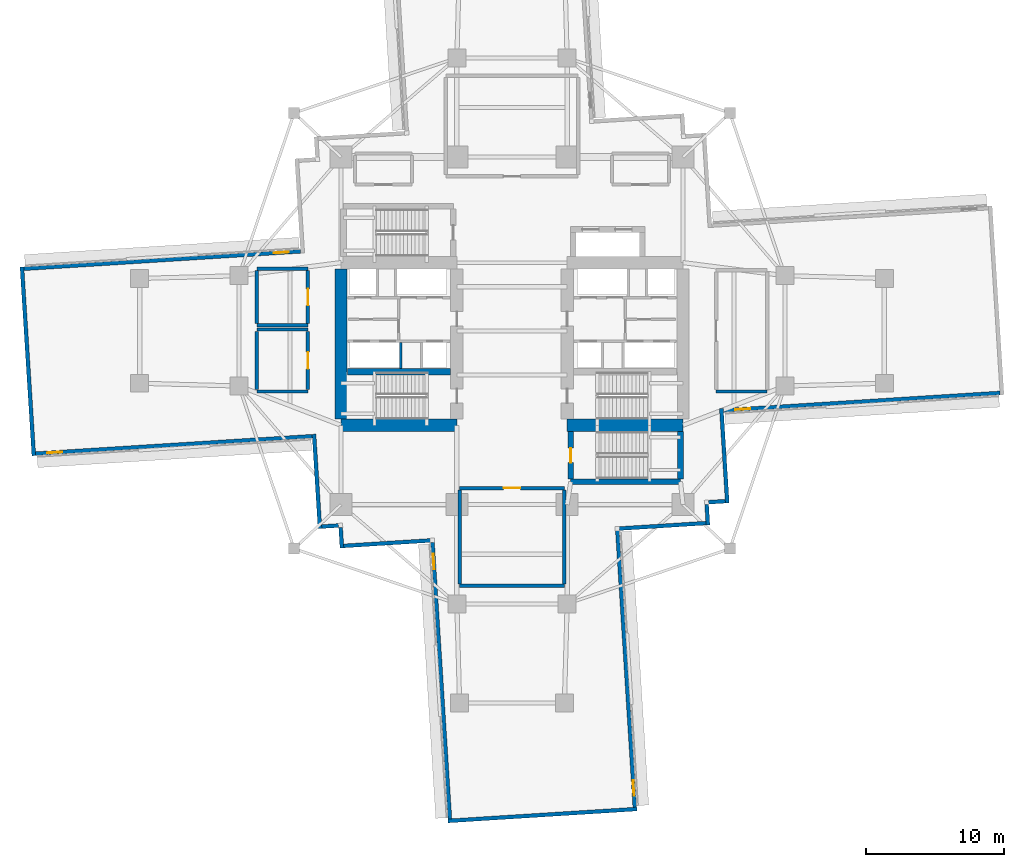
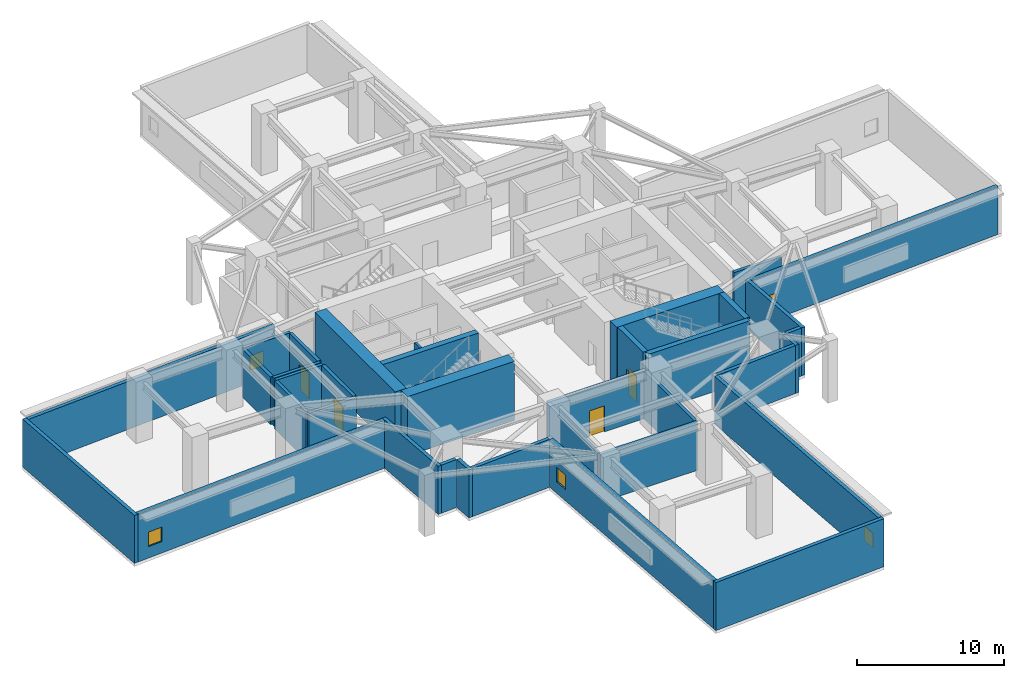
# One storey, part 3 of 11: 36 walls, 5 windows, 4 doors, 9 openings.
"""IFC4 building model written with IfcOpenShell, lengths in metres."""

from ifc_helpers import new_model, si_unit, direction, frame, frame_2d, origin, place, context, subcontext, project, spatial, rectangle, extrude, material, layer, layer_set, type_object, element, fill, save


model = new_model("IFC4")

# Units and contexts
model_context = context("Model", 3, precision=1e-05, world=origin(), true_north=direction((0.0, 1.0)))
body_context = subcontext(model_context, "Body", "Model", "MODEL_VIEW")
ifc_project = project(units=[si_unit("LENGTHUNIT", "METRE"), si_unit("AREAUNIT", "SQUARE_METRE"), si_unit("VOLUMEUNIT", "CUBIC_METRE"), si_unit("PLANEANGLEUNIT", "RADIAN"), si_unit("MASSUNIT", "GRAM", prefix="KILO")], contexts=[model_context])

# Site, building, storey
site_placement = place(None, origin())
site = spatial("IfcSite", under=ifc_project, at=site_placement, CompositionType="ELEMENT")
building_placement = place(site_placement, origin())
building = spatial("IfcBuilding", under=site, at=building_placement, Name="Qingluan Cross Belvedere", CompositionType="ELEMENT")
storey_placement = place(building_placement, frame((0.0, 0.0, 47.10009765625)))
storey = spatial("IfcBuildingStorey", under=building, at=storey_placement, Name="L12", CompositionType="ELEMENT", Elevation=47.10009765625)

# Walls
ifc_material_1 = material(Name="Concrete C50", Category="concrete")
ifc_layer_1 = layer(ifc_material_1, 0.449951171875, Name="CoreShearWall_450")
ifc_layer_set_1 = layer_set([ifc_layer_1], Name="Concrete C50")
wall_type_1 = type_object("IfcWallType", Name="CoreShearWall_450", PredefinedType="SHEAR", material=ifc_layer_set_1)
wall_1_placement = place(storey_placement, frame((-11.945068359375, -2.9599609375, 0.0), z_axis=(0.0, 0.0, 1.0), x_axis=(1.0, 0.0, 0.0)))
element("IfcWall", 1, at=wall_1_placement, inside=storey, type_object=wall_type_1, Name="Split core W shear wall L12-M", PredefinedType="SHEAR", context=body_context, shape_type="SweptSolid", body=[
    extrude(rectangle(XDim=7.489990234375, YDim=0.449951171875, at=frame_2d((3.7451171875, 0.0))), origin(), (0.0, 0.0, 1.0), 4.89990234375),
])
wall_2_placement = place(storey_placement, frame((4.260009765625, -10.93994140625, 0.0), z_axis=(0.0, 0.0, 1.0), x_axis=(1.0, 0.0, 0.0)))
element("IfcWall", 2, at=wall_2_placement, inside=storey, type_object=wall_type_1, Name="Stair ST4 structural wall S L12", PredefinedType="SHEAR", context=body_context, shape_type="SweptSolid", body=[
    extrude(rectangle(XDim=7.9599609375, YDim=0.39990234375, at=frame_2d((3.97998046875, 0.0))), origin(), (0.0, 0.0, 1.0), 4.89990234375),
])

# Wall, opening, door
wall_3_placement = place(storey_placement, frame((4.260009765625, -10.735107421875, 0.0), z_axis=(0.0, 0.0, 1.0), x_axis=(0.0, 1.0, 0.0)))
wall_3 = element("IfcWall", 3, at=wall_3_placement, inside=storey, type_object=wall_type_1, Name="Stair ST4 structural wall W L12", PredefinedType="SHEAR", context=body_context, shape_type="SweptSolid", body=[
    extrude(rectangle(XDim=3.43017578125, YDim=0.39990234375, at=frame_2d((1.715087890625, 0.0))), origin(), (0.0, 0.0, 1.0), 4.89990234375),
])
opening_1_placement = place(wall_3_placement, frame((1.18505859375, 0.0, 0.0)))
opening_1 = element("IfcOpeningElement", 4, at=opening_1_placement, cuts=wall_3, Name="Opening FD-B11", PredefinedType="OPENING", context=body_context, shape_type="SweptSolid", body=[
    extrude(rectangle(XDim=1.050048828125, YDim=2.14990234375, at=frame_2d((0.52490234375, 1.074951171875))), frame((0.0, 0.2099609375, 0.0), z_axis=(0.0, -1.0, 0.0), x_axis=(1.0, 0.0, 0.0)), (0.0, 0.0, 1.0), 0.419921875),
])
ifc_material_2 = material(Name="Steel Class B smoke-seal fire door", Category="steel")
door_type_1 = type_object("IfcDoorType", Name="StairLobbyFireDoor_FDB", OperationType="NOTDEFINED", PredefinedType="DOOR", material=ifc_material_2)
door_1_placement = place(opening_1_placement, origin())
door_1 = element("IfcDoor", 5, at=door_1_placement, inside=storey, type_object=door_type_1, Name="Smoke-proof stair ST4 fire door L12", OperationType="SINGLE_SWING_LEFT", OverallHeight=2.14990234375, OverallWidth=1.050048828125, PredefinedType="DOOR", context=body_context, shape_type="SweptSolid", body=[
    extrude(rectangle(XDim=1.050048828125, YDim=2.14990234375, at=frame_2d((0.52490234375, 1.074951171875))), frame((0.0, 0.02490234375, 0.0), z_axis=(0.0, -1.0, 0.0), x_axis=(1.0, 0.0, 0.0)), (0.0, 0.0, 1.0), 0.050048828125),
])
fill(opening_1, door_1)

# Walls
wall_4_placement = place(storey_placement, frame((12.219970703125, -10.735107421875, 0.0), z_axis=(0.0, 0.0, 1.0), x_axis=(0.0, 1.0, 0.0)))
element("IfcWall", 6, at=wall_4_placement, inside=storey, type_object=wall_type_1, Name="Stair ST4 structural wall E L12", PredefinedType="SHEAR", context=body_context, shape_type="SweptSolid", body=[
    extrude(rectangle(XDim=3.43017578125, YDim=0.39990234375, at=frame_2d((1.715087890625, 0.0))), origin(), (0.0, 0.0, 1.0), 4.89990234375),
])
ifc_material_3 = material(Name="Concrete C70", Category="concrete")
ifc_layer_2 = layer(ifc_material_3, 0.89990234375, Name="CoreShearWall_900")
ifc_layer_set_2 = layer_set([ifc_layer_2], Name="Concrete C70")
wall_type_2 = type_object("IfcWallType", Name="CoreShearWall_900", PredefinedType="SHEAR", material=ifc_layer_set_2)
wall_5_placement = place(storey_placement, frame((-12.39990234375, -6.85009765625, 0.0), z_axis=(0.0, 0.0, 1.0), x_axis=(1.0, 0.0, 0.0)))
element("IfcWall", 7, at=wall_5_placement, inside=storey, type_object=wall_type_2, Name="Split core W shear wall L12-S", PredefinedType="SHEAR", context=body_context, shape_type="SweptSolid", body=[
    extrude(rectangle(XDim=8.39990234375, YDim=0.89990234375, at=frame_2d((4.199951171875, 0.0))), origin(), (0.0, 0.0, 1.0), 4.89990234375),
])
wall_6_placement = place(storey_placement, frame((-12.39990234375, -6.39501953125, 0.0), z_axis=(0.0, 0.0, 1.0), x_axis=(0.0, 1.0, 0.0)))
element("IfcWall", 8, at=wall_6_placement, inside=storey, type_object=wall_type_2, Name="Split core W shear wall L12-W", PredefinedType="SHEAR", context=body_context, shape_type="SweptSolid", body=[
    extrude(rectangle(XDim=10.89013671875, YDim=0.89990234375, at=frame_2d((5.445068359375, 0.0))), origin(), (0.0, 0.0, 1.0), 4.89990234375),
])
wall_7_placement = place(storey_placement, frame((4.0, -6.85009765625, 0.0), z_axis=(0.0, 0.0, 1.0), x_axis=(1.0, 0.0, 0.0)))
element("IfcWall", 9, at=wall_7_placement, inside=storey, type_object=wall_type_2, Name="Split core E shear wall L12-S", PredefinedType="SHEAR", context=body_context, shape_type="SweptSolid", body=[
    extrude(rectangle(XDim=8.39990234375, YDim=0.89990234375, at=frame_2d((4.199951171875, 0.0))), origin(), (0.0, 0.0, 1.0), 4.89990234375),
])
ifc_material_4 = material(Name="Concrete C40", Category="concrete")
ifc_layer_3 = layer(ifc_material_4, 0.300048828125, Name="FireCompartmentWall_300")
ifc_layer_set_3 = layer_set([ifc_layer_3], Name="Concrete C40")
wall_type_3 = type_object("IfcWallType", Name="FireCompartmentWall_300", PredefinedType="SOLIDWALL", material=ifc_layer_set_3)
wall_8_placement = place(storey_placement, frame((-3.800048828125, -18.5, 0.0), z_axis=(0.0, 0.0, 1.0), x_axis=(1.0, 0.0, 0.0)))
element("IfcWall", 10, at=wall_8_placement, inside=storey, type_object=wall_type_3, Name="Partition L12:refuge_s:S", PredefinedType="SOLIDWALL", context=body_context, shape_type="SweptSolid", body=[
    extrude(rectangle(XDim=7.60009765625, YDim=0.25, at=frame_2d((3.800048828125, 0.0))), origin(), (0.0, 0.0, 1.0), 3.969970703125),
])

# Wall, opening, door
wall_9_placement = place(storey_placement, frame((-3.800048828125, -11.39990234375, 0.0), z_axis=(0.0, 0.0, 1.0), x_axis=(1.0, 0.0, 0.0)))
wall_9 = element("IfcWall", 11, at=wall_9_placement, inside=storey, type_object=wall_type_3, Name="Partition L12:refuge_s:N", PredefinedType="SOLIDWALL", context=body_context, shape_type="SweptSolid", body=[
    extrude(rectangle(XDim=7.60009765625, YDim=0.25, at=frame_2d((3.800048828125, 0.0))), origin(), (0.0, 0.0, 1.0), 3.969970703125),
])
opening_2_placement = place(wall_9_placement, frame((3.199951171875, 0.0, 0.0)))
opening_2 = element("IfcOpeningElement", 12, at=opening_2_placement, cuts=wall_9, Name="Opening FD-A12", PredefinedType="OPENING", context=body_context, shape_type="SweptSolid", body=[
    extrude(rectangle(XDim=1.199951171875, YDim=2.14990234375, at=frame_2d((0.60009765625, 1.074951171875))), frame((0.0, 0.135009765625, 0.0), z_axis=(0.0, -1.0, 0.0), x_axis=(1.0, 0.0, 0.0)), (0.0, 0.0, 1.0), 0.27001953125),
])
ifc_material_5 = material(Name="Insulated steel Class A fire door", Category="steel")
door_type_2 = type_object("IfcDoorType", Name="RefugeCompartmentDoor_FDA", OperationType="NOTDEFINED", PredefinedType="DOOR", material=ifc_material_5)
door_2_placement = place(opening_2_placement, origin())
door_2 = element("IfcDoor", 13, at=door_2_placement, inside=storey, type_object=door_type_2, Name="Fire refuge area South L12 door", OperationType="SINGLE_SWING_LEFT", OverallHeight=2.14990234375, OverallWidth=1.199951171875, PredefinedType="DOOR", context=body_context, shape_type="SweptSolid", body=[
    extrude(rectangle(XDim=1.199951171875, YDim=2.14990234375, at=frame_2d((0.60009765625, 1.074951171875))), frame((0.0, 0.02490234375, 0.0), z_axis=(0.0, -1.0, 0.0), x_axis=(1.0, 0.0, 0.0)), (0.0, 0.0, 1.0), 0.050048828125),
])
fill(opening_2, door_2)

# Walls
for number, where, z_axis, x_axis, name in (
    (14, (-3.800048828125, -18.3701171875, 0.0), (0.0, 0.0, 1.0), (0.0, 1.0, 0.0), "Partition L12:refuge_s:W"),
    (15, (3.800048828125, -18.3701171875, 0.0), (0.0, 0.0, 1.0), (0.0, 1.0, 0.0), "Partition L12:refuge_s:E"),
):
    element("IfcWall", number, at=place(storey_placement, frame(where, z_axis=z_axis, x_axis=x_axis)), inside=storey, type_object=wall_type_3, Name=name, PredefinedType="SOLIDWALL", context=body_context, shape_type="SweptSolid", body=[
        extrude(rectangle(XDim=6.840087890625, YDim=0.25, at=frame_2d((3.419921875, 0.0))), origin(), (0.0, 0.0, 1.0), 3.969970703125),
    ])
for number, where, z_axis, x_axis, name in (
    (16, (14.800048828125, -4.39990234375, 0.0), (0.0, 0.0, 1.0), (1.0, 0.0, 0.0), "Partition L12:ahu_plant:S"),
    (17, (-18.5, -4.39990234375, 0.0), (0.0, 0.0, 1.0), (1.0, 0.0, 0.0), "Partition L12:elec_plant:S"),
    (18, (-18.5, 0.10009765625, 0.0), (0.0, 0.0, 1.0), (1.0, 0.0, 0.0), "Partition L12:elec_plant:N"),
):
    element("IfcWall", number, at=place(storey_placement, frame(where, z_axis=z_axis, x_axis=x_axis)), inside=storey, type_object=wall_type_3, Name=name, PredefinedType="SOLIDWALL", context=body_context, shape_type="SweptSolid", body=[
        extrude(rectangle(XDim=3.699951171875, YDim=0.25, at=frame_2d((1.85009765625, 0.0))), origin(), (0.0, 0.0, 1.0), 3.969970703125),
    ])
wall_10_placement = place(storey_placement, frame((-18.5, -4.27001953125, 0.0), z_axis=(0.0, 0.0, 1.0), x_axis=(0.0, 1.0, 0.0)))
element("IfcWall", 19, at=wall_10_placement, inside=storey, type_object=wall_type_3, Name="Partition L12:elec_plant:W", PredefinedType="SOLIDWALL", context=body_context, shape_type="SweptSolid", body=[
    extrude(rectangle(XDim=4.239990234375, YDim=0.25, at=frame_2d((2.1201171875, 0.0))), origin(), (0.0, 0.0, 1.0), 3.969970703125),
])

# Wall, opening, door
wall_11_placement = place(storey_placement, frame((-14.800048828125, -4.27001953125, 0.0), z_axis=(0.0, 0.0, 1.0), x_axis=(0.0, 1.0, 0.0)))
wall_11 = element("IfcWall", 20, at=wall_11_placement, inside=storey, type_object=wall_type_3, Name="Partition L12:elec_plant:E", PredefinedType="SOLIDWALL", context=body_context, shape_type="SweptSolid", body=[
    extrude(rectangle(XDim=4.239990234375, YDim=0.25, at=frame_2d((2.1201171875, 0.0))), origin(), (0.0, 0.0, 1.0), 3.969970703125),
])
opening_3_placement = place(wall_11_placement, frame((1.52001953125, 0.0, 0.0)))
opening_3 = element("IfcOpeningElement", 21, at=opening_3_placement, cuts=wall_11, Name="Opening FD-A12", PredefinedType="OPENING", context=body_context, shape_type="SweptSolid", body=[
    extrude(rectangle(XDim=1.199951171875, YDim=2.14990234375, at=frame_2d((0.60009765625, 1.074951171875))), frame((0.0, 0.135009765625, 0.0), z_axis=(0.0, -1.0, 0.0), x_axis=(1.0, 0.0, 0.0)), (0.0, 0.0, 1.0), 0.27001953125),
])
door_3_placement = place(opening_3_placement, origin())
door_3 = element("IfcDoor", 22, at=door_3_placement, inside=storey, type_object=door_type_2, Name="Electrical transformer and switchgear room L12 door", OperationType="SINGLE_SWING_RIGHT", OverallHeight=2.14990234375, OverallWidth=1.199951171875, PredefinedType="DOOR", context=body_context, shape_type="SweptSolid", body=[
    extrude(rectangle(XDim=1.199951171875, YDim=2.14990234375, at=frame_2d((0.60009765625, 1.074951171875))), frame((0.0, 0.02490234375, 0.0), z_axis=(0.0, -1.0, 0.0), x_axis=(1.0, 0.0, 0.0)), (0.0, 0.0, 1.0), 0.050048828125),
])
fill(opening_3, door_3)

# Walls
for number, where, z_axis, x_axis, name in (
    (23, (-18.5, 0.39990234375, 0.0), (0.0, 0.0, 1.0), (1.0, 0.0, 0.0), "Partition L12:water_plant:S"),
    (24, (-18.5, 4.5, 0.0), (0.0, 0.0, 1.0), (1.0, 0.0, 0.0), "Partition L12:water_plant:N"),
):
    element("IfcWall", number, at=place(storey_placement, frame(where, z_axis=z_axis, x_axis=x_axis)), inside=storey, type_object=wall_type_3, Name=name, PredefinedType="SOLIDWALL", context=body_context, shape_type="SweptSolid", body=[
        extrude(rectangle(XDim=3.699951171875, YDim=0.25, at=frame_2d((1.85009765625, 0.0))), origin(), (0.0, 0.0, 1.0), 3.969970703125),
    ])
wall_12_placement = place(storey_placement, frame((-18.5, 0.530029296875, 0.0), z_axis=(0.0, 0.0, 1.0), x_axis=(0.0, 1.0, 0.0)))
element("IfcWall", 25, at=wall_12_placement, inside=storey, type_object=wall_type_3, Name="Partition L12:water_plant:W", PredefinedType="SOLIDWALL", context=body_context, shape_type="SweptSolid", body=[
    extrude(rectangle(XDim=3.840087890625, YDim=0.25, at=frame_2d((1.919921875, 0.0))), origin(), (0.0, 0.0, 1.0), 3.969970703125),
])

# Wall, opening, door
wall_13_placement = place(storey_placement, frame((-14.800048828125, 0.530029296875, 0.0), z_axis=(0.0, 0.0, 1.0), x_axis=(0.0, 1.0, 0.0)))
wall_13 = element("IfcWall", 26, at=wall_13_placement, inside=storey, type_object=wall_type_3, Name="Partition L12:water_plant:E", PredefinedType="SOLIDWALL", context=body_context, shape_type="SweptSolid", body=[
    extrude(rectangle(XDim=3.840087890625, YDim=0.25, at=frame_2d((1.919921875, 0.0))), origin(), (0.0, 0.0, 1.0), 3.969970703125),
])
opening_4_placement = place(wall_13_placement, frame((1.320068359375, 0.0, 0.0)))
opening_4 = element("IfcOpeningElement", 27, at=opening_4_placement, cuts=wall_13, Name="Opening FD-A12", PredefinedType="OPENING", context=body_context, shape_type="SweptSolid", body=[
    extrude(rectangle(XDim=1.199951171875, YDim=2.14990234375, at=frame_2d((0.60009765625, 1.074951171875))), frame((0.0, 0.135009765625, 0.0), z_axis=(0.0, -1.0, 0.0), x_axis=(1.0, 0.0, 0.0)), (0.0, 0.0, 1.0), 0.27001953125),
])
door_4_placement = place(opening_4_placement, origin())
door_4 = element("IfcDoor", 28, at=door_4_placement, inside=storey, type_object=door_type_2, Name="Fire booster pump and transfer water tank room L12 door", OperationType="SINGLE_SWING_LEFT", OverallHeight=2.14990234375, OverallWidth=1.199951171875, PredefinedType="DOOR", context=body_context, shape_type="SweptSolid", body=[
    extrude(rectangle(XDim=1.199951171875, YDim=2.14990234375, at=frame_2d((0.60009765625, 1.074951171875))), frame((0.0, 0.02490234375, 0.0), z_axis=(0.0, -1.0, 0.0), x_axis=(1.0, 0.0, 0.0)), (0.0, 0.0, 1.0), 0.050048828125),
])
fill(opening_4, door_4)

# Wall, opening, window
ifc_material_6 = material(Name="Precast concrete C45", Category="concrete")
ifc_layer_4 = layer(ifc_material_6, 0.280029296875, Name="PrecastFacadeWall_280")
ifc_layer_set_4 = layer_set([ifc_layer_4], Name="Precast concrete C45")
wall_type_4 = type_object("IfcWallType", Name="PrecastFacadeWall_280", PredefinedType="STANDARD", material=ifc_layer_set_4)
wall_14_placement = place(storey_placement, frame((15.33251953125, -5.7685546875, 0.0), z_axis=(0.0, 0.0, 1.0), x_axis=(0.998027116198, 0.062784355807, 0.0)))
wall_14 = element("IfcWall", 29, at=wall_14_placement, inside=storey, type_object=wall_type_4, Name="Facade wall L12-EA", PredefinedType="STANDARD", context=body_context, shape_type="SweptSolid", body=[
    extrude(rectangle(XDim=20.099853515625, YDim=0.280029296875, at=frame_2d((10.0498046875, 0.0))), origin(), (0.0, 0.0, 1.0), 3.97998046875),
])
opening_5_placement = place(wall_14_placement, frame((0.85009765625, 0.0, 0.949951171875)))
opening_5 = element("IfcOpeningElement", 30, at=opening_5_placement, cuts=wall_14, Name="Opening W-07", PredefinedType="OPENING", context=body_context, shape_type="SweptSolid", body=[
    extrude(rectangle(XDim=1.10009765625, YDim=1.199951171875, at=frame_2d((0.550048828125, 0.60009765625))), frame((0.0, 0.14990234375, 0.0), z_axis=(0.0, -1.0, 0.0), x_axis=(1.0, 0.0, 0.0)), (0.0, 0.0, 1.0), 0.300048828125),
])
ifc_material_7 = material(Name="Thermally broken triple Low-E glass in aluminium frame", Category="aluminium")
window_type = type_object("IfcWindowType", Name="RefugeSmokeWin_1100x1200", PartitioningType="SINGLE_PANEL", PredefinedType="WINDOW", material=ifc_material_7)
window_1_placement = place(opening_5_placement, origin())
window_1 = element("IfcWindow", 31, at=window_1_placement, inside=storey, type_object=window_type, Name="Refuge operable smoke window L12-EA", OverallHeight=1.199951171875, OverallWidth=1.10009765625, PartitioningType="SINGLE_PANEL", PredefinedType="WINDOW", context=body_context, shape_type="SweptSolid", body=[
    extrude(rectangle(XDim=1.10009765625, YDim=1.199951171875, at=frame_2d((0.550048828125, 0.60009765625))), frame((0.0, 0.030029296875, 0.0), z_axis=(0.0, -1.0, 0.0), x_axis=(1.0, 0.0, 0.0)), (0.0, 0.0, 1.0), 0.06005859375),
])
fill(opening_5, window_1)

wall_15_placement = place(storey_placement, frame((-15.33251953125, 5.7685546875, 0.0), z_axis=(0.0, 0.0, 1.0), x_axis=(-0.998027116198, -0.062784355807, 0.0)))
wall_15 = element("IfcWall", 32, at=wall_15_placement, inside=storey, type_object=wall_type_4, Name="Facade wall L12-WA", PredefinedType="STANDARD", context=body_context, shape_type="SweptSolid", body=[
    extrude(rectangle(XDim=20.099853515625, YDim=0.280029296875, at=frame_2d((10.0498046875, 0.0))), origin(), (0.0, 0.0, 1.0), 3.97998046875),
])
opening_6_placement = place(wall_15_placement, frame((0.85009765625, 0.0, 0.949951171875)))
opening_6 = element("IfcOpeningElement", 33, at=opening_6_placement, cuts=wall_15, Name="Opening W-07", PredefinedType="OPENING", context=body_context, shape_type="SweptSolid", body=[
    extrude(rectangle(XDim=1.10009765625, YDim=1.199951171875, at=frame_2d((0.550048828125, 0.60009765625))), frame((0.0, 0.14990234375, 0.0), z_axis=(0.0, -1.0, 0.0), x_axis=(1.0, 0.0, 0.0)), (0.0, 0.0, 1.0), 0.300048828125),
])
window_2_placement = place(opening_6_placement, origin())
window_2 = element("IfcWindow", 34, at=window_2_placement, inside=storey, type_object=window_type, Name="Refuge operable smoke window L12-WA", OverallHeight=1.199951171875, OverallWidth=1.10009765625, PartitioningType="SINGLE_PANEL", PredefinedType="WINDOW", context=body_context, shape_type="SweptSolid", body=[
    extrude(rectangle(XDim=1.10009765625, YDim=1.199951171875, at=frame_2d((0.550048828125, 0.60009765625))), frame((0.0, 0.030029296875, 0.0), z_axis=(0.0, -1.0, 0.0), x_axis=(1.0, 0.0, 0.0)), (0.0, 0.0, 1.0), 0.06005859375),
])
fill(opening_6, window_2)

wall_16_placement = place(storey_placement, frame((-34.548828125, -8.906982421875, 0.0), z_axis=(0.0, 0.0, 1.0), x_axis=(0.99802635503, 0.06279645424, 0.0)))
wall_16 = element("IfcWall", 35, at=wall_16_placement, inside=storey, type_object=wall_type_4, Name="Facade wall L12-WB", PredefinedType="STANDARD", context=body_context, shape_type="SweptSolid", body=[
    extrude(rectangle(XDim=20.099853515625, YDim=0.280029296875, at=frame_2d((10.0498046875, 0.0))), origin(), (0.0, 0.0, 1.0), 3.97998046875),
])
opening_7_placement = place(wall_16_placement, frame((0.85009765625, 0.0, 0.949951171875)))
opening_7 = element("IfcOpeningElement", 36, at=opening_7_placement, cuts=wall_16, Name="Opening W-07", PredefinedType="OPENING", context=body_context, shape_type="SweptSolid", body=[
    extrude(rectangle(XDim=1.10009765625, YDim=1.199951171875, at=frame_2d((0.550048828125, 0.60009765625))), frame((0.0, 0.14990234375, 0.0), z_axis=(0.0, -1.0, 0.0), x_axis=(1.0, 0.0, 0.0)), (0.0, 0.0, 1.0), 0.300048828125),
])
window_3_placement = place(opening_7_placement, origin())
window_3 = element("IfcWindow", 37, at=window_3_placement, inside=storey, type_object=window_type, Name="Refuge operable smoke window L12-WB", OverallHeight=1.199951171875, OverallWidth=1.10009765625, PartitioningType="SINGLE_PANEL", PredefinedType="WINDOW", context=body_context, shape_type="SweptSolid", body=[
    extrude(rectangle(XDim=1.10009765625, YDim=1.199951171875, at=frame_2d((0.550048828125, 0.60009765625))), frame((0.0, 0.030029296875, 0.0), z_axis=(0.0, -1.0, 0.0), x_axis=(1.0, 0.0, 0.0)), (0.0, 0.0, 1.0), 0.06005859375),
])
fill(opening_7, window_3)

# Wall
wall_17_placement = place(storey_placement, frame((-35.541259765625, 4.637451171875, 0.0), z_axis=(0.0, 0.0, 1.0), x_axis=(0.062797041623, -0.998026318072, 0.0)))
element("IfcWall", 38, at=wall_17_placement, inside=storey, type_object=wall_type_4, Name="Arm tip precast facade wall L12-W", PredefinedType="STANDARD", context=body_context, shape_type="SweptSolid", body=[
    extrude(rectangle(XDim=13.719970703125, YDim=0.280029296875, at=frame_2d((6.85986328125, 0.0))), origin(), (0.0, 0.0, 1.0), 3.97998046875),
])

# Wall, opening, window
wall_18_placement = place(storey_placement, frame((-5.7685546875, -15.33251953125, 0.0), z_axis=(0.0, 0.0, 1.0), x_axis=(0.062784355807, -0.998027116198, 0.0)))
wall_18 = element("IfcWall", 39, at=wall_18_placement, inside=storey, type_object=wall_type_4, Name="Facade wall L12-SA", PredefinedType="STANDARD", context=body_context, shape_type="SweptSolid", body=[
    extrude(rectangle(XDim=20.099853515625, YDim=0.280029296875, at=frame_2d((10.0498046875, 0.0))), origin(), (0.0, 0.0, 1.0), 3.97998046875),
])
opening_8_placement = place(wall_18_placement, frame((0.85009765625, 0.0, 0.949951171875)))
opening_8 = element("IfcOpeningElement", 40, at=opening_8_placement, cuts=wall_18, Name="Opening W-07", PredefinedType="OPENING", context=body_context, shape_type="SweptSolid", body=[
    extrude(rectangle(XDim=1.10009765625, YDim=1.199951171875, at=frame_2d((0.550048828125, 0.60009765625))), frame((0.0, 0.14990234375, 0.0), z_axis=(0.0, -1.0, 0.0), x_axis=(1.0, 0.0, 0.0)), (0.0, 0.0, 1.0), 0.300048828125),
])
window_4_placement = place(opening_8_placement, origin())
window_4 = element("IfcWindow", 41, at=window_4_placement, inside=storey, type_object=window_type, Name="Refuge operable smoke window L12-SA", OverallHeight=1.199951171875, OverallWidth=1.10009765625, PartitioningType="SINGLE_PANEL", PredefinedType="WINDOW", context=body_context, shape_type="SweptSolid", body=[
    extrude(rectangle(XDim=1.10009765625, YDim=1.199951171875, at=frame_2d((0.550048828125, 0.60009765625))), frame((0.0, 0.030029296875, 0.0), z_axis=(0.0, -1.0, 0.0), x_axis=(1.0, 0.0, 0.0)), (0.0, 0.0, 1.0), 0.06005859375),
])
fill(opening_8, window_4)

wall_19_placement = place(storey_placement, frame((8.906982421875, -34.548828125, 0.0), z_axis=(0.0, 0.0, 1.0), x_axis=(-0.06279645424, 0.99802635503, 0.0)))
wall_19 = element("IfcWall", 42, at=wall_19_placement, inside=storey, type_object=wall_type_4, Name="Facade wall L12-SB", PredefinedType="STANDARD", context=body_context, shape_type="SweptSolid", body=[
    extrude(rectangle(XDim=20.099853515625, YDim=0.280029296875, at=frame_2d((10.0498046875, 0.0))), origin(), (0.0, 0.0, 1.0), 3.97998046875),
])
opening_9_placement = place(wall_19_placement, frame((0.85009765625, 0.0, 0.949951171875)))
opening_9 = element("IfcOpeningElement", 43, at=opening_9_placement, cuts=wall_19, Name="Opening W-07", PredefinedType="OPENING", context=body_context, shape_type="SweptSolid", body=[
    extrude(rectangle(XDim=1.10009765625, YDim=1.199951171875, at=frame_2d((0.550048828125, 0.60009765625))), frame((0.0, 0.14990234375, 0.0), z_axis=(0.0, -1.0, 0.0), x_axis=(1.0, 0.0, 0.0)), (0.0, 0.0, 1.0), 0.300048828125),
])
window_5_placement = place(opening_9_placement, origin())
window_5 = element("IfcWindow", 44, at=window_5_placement, inside=storey, type_object=window_type, Name="Refuge operable smoke window L12-SB", OverallHeight=1.199951171875, OverallWidth=1.10009765625, PartitioningType="SINGLE_PANEL", PredefinedType="WINDOW", context=body_context, shape_type="SweptSolid", body=[
    extrude(rectangle(XDim=1.10009765625, YDim=1.199951171875, at=frame_2d((0.550048828125, 0.60009765625))), frame((0.0, 0.030029296875, 0.0), z_axis=(0.0, -1.0, 0.0), x_axis=(1.0, 0.0, 0.0)), (0.0, 0.0, 1.0), 0.06005859375),
])
fill(opening_9, window_5)

# Walls
wall_20_placement = place(storey_placement, frame((-4.637451171875, -35.541259765625, 0.0), z_axis=(0.0, 0.0, 1.0), x_axis=(0.998026318072, 0.062797041623, 0.0)))
element("IfcWall", 45, at=wall_20_placement, inside=storey, type_object=wall_type_4, Name="Arm tip precast facade wall L12-S", PredefinedType="STANDARD", context=body_context, shape_type="SweptSolid", body=[
    extrude(rectangle(XDim=13.719970703125, YDim=0.280029296875, at=frame_2d((6.85986328125, 0.0))), origin(), (0.0, 0.0, 1.0), 3.97998046875),
])
wall_21_placement = place(storey_placement, frame((-14.357666015625, -7.496337890625, 0.0), z_axis=(0.0, 0.0, 1.0), x_axis=(0.062779317195, -0.998027433156, 0.0)))
element("IfcWall", 46, at=wall_21_placement, inside=storey, type_object=wall_type_4, Name="Corner wall L12-SW1", PredefinedType="STANDARD", context=body_context, shape_type="SweptSolid", body=[
    extrude(rectangle(XDim=6.85986328125, YDim=0.280029296875, at=frame_2d((3.429931640625, 0.0))), origin(), (0.0, 0.0, 1.0), 3.97998046875),
])
wall_22_placement = place(storey_placement, frame((-13.7958984375, -14.1943359375, 0.0), z_axis=(0.0, 0.0, 1.0), x_axis=(0.998023660242, 0.06283926796, 0.0)))
element("IfcWall", 47, at=wall_22_placement, inside=storey, type_object=wall_type_4, Name="Corner wall L12-SW2", PredefinedType="STANDARD", context=body_context, shape_type="SweptSolid", body=[
    extrude(rectangle(XDim=1.219970703125, YDim=0.280029296875, at=frame_2d((0.60986328125, 0.0))), origin(), (0.0, 0.0, 1.0), 3.97998046875),
])
wall_23_placement = place(storey_placement, frame((-12.429931640625, -14.24853515625, 0.0), z_axis=(0.0, 0.0, 1.0), x_axis=(0.062824119533, -0.998024613927, 0.0)))
element("IfcWall", 48, at=wall_23_placement, inside=storey, type_object=wall_type_4, Name="Corner wall L12-SW3", PredefinedType="STANDARD", context=body_context, shape_type="SweptSolid", body=[
    extrude(rectangle(XDim=1.5, YDim=0.280029296875, at=frame_2d((0.75, 0.0))), origin(), (0.0, 0.0, 1.0), 3.97998046875),
])
wall_24_placement = place(storey_placement, frame((-12.20458984375, -15.59716796875, 0.0), z_axis=(0.0, 0.0, 1.0), x_axis=(0.998024885752, 0.062819801181, 0.0)))
element("IfcWall", 49, at=wall_24_placement, inside=storey, type_object=wall_type_4, Name="Corner wall L12-SW4", PredefinedType="STANDARD", context=body_context, shape_type="SweptSolid", body=[
    extrude(rectangle(XDim=6.2998046875, YDim=0.280029296875, at=frame_2d((3.14990234375, 0.0))), origin(), (0.0, 0.0, 1.0), 3.97998046875),
])
wall_25_placement = place(storey_placement, frame((15.18408203125, -5.6376953125, 0.0), z_axis=(0.0, 0.0, 1.0), x_axis=(0.062779317195, -0.998027433156, 0.0)))
element("IfcWall", 50, at=wall_25_placement, inside=storey, type_object=wall_type_4, Name="Corner wall L12-SE1", PredefinedType="STANDARD", context=body_context, shape_type="SweptSolid", body=[
    extrude(rectangle(XDim=6.85986328125, YDim=0.280029296875, at=frame_2d((3.429931640625, 0.0))), origin(), (0.0, 0.0, 1.0), 3.97998046875),
])
wall_26_placement = place(storey_placement, frame((15.46630859375, -12.353271484375, 0.0), z_axis=(0.0, 0.0, 1.0), x_axis=(-0.998024450254, -0.062826719603, 0.0)))
element("IfcWall", 51, at=wall_26_placement, inside=storey, type_object=wall_type_4, Name="Corner wall L12-SE2", PredefinedType="STANDARD", context=body_context, shape_type="SweptSolid", body=[
    extrude(rectangle(XDim=1.22021484375, YDim=0.280029296875, at=frame_2d((0.610107421875, 0.0))), origin(), (0.0, 0.0, 1.0), 3.97998046875),
])
wall_27_placement = place(storey_placement, frame((14.11767578125, -12.578369140625, 0.0), z_axis=(0.0, 0.0, 1.0), x_axis=(0.062824119533, -0.998024613927, 0.0)))
element("IfcWall", 52, at=wall_27_placement, inside=storey, type_object=wall_type_4, Name="Corner wall L12-SE3", PredefinedType="STANDARD", context=body_context, shape_type="SweptSolid", body=[
    extrude(rectangle(XDim=1.5, YDim=0.280029296875, at=frame_2d((0.75, 0.0))), origin(), (0.0, 0.0, 1.0), 3.97998046875),
])
wall_28_placement = place(storey_placement, frame((14.063232421875, -13.944580078125, 0.0), z_axis=(0.0, 0.0, 1.0), x_axis=(-0.998027314704, -0.062781200242, 0.0)))
element("IfcWall", 53, at=wall_28_placement, inside=storey, type_object=wall_type_4, Name="Corner wall L12-SE4", PredefinedType="STANDARD", context=body_context, shape_type="SweptSolid", body=[
    extrude(rectangle(XDim=6.2998046875, YDim=0.280029296875, at=frame_2d((3.14990234375, 0.0))), origin(), (0.0, 0.0, 1.0), 3.97998046875),
])
ifc_material_8 = material(Name="Concrete C40", Category="concrete")
ifc_layer_5 = layer(ifc_material_8, 0.219970703125, Name="ShaftEnclosureWall_250")
ifc_layer_set_5 = layer_set([ifc_layer_5], Name="Concrete C40")
wall_type_5 = type_object("IfcWallType", Name="ShaftEnclosureWall_250", PredefinedType="SOLIDWALL", material=ifc_layer_set_5)
wall_29_placement = place(storey_placement, frame((-8.06005859375, -2.72998046875, 0.0), z_axis=(0.0, 0.0, 1.0), x_axis=(0.0, 1.0, 0.0)))
element("IfcWall", 54, at=wall_29_placement, inside=storey, type_object=wall_type_5, Name="Hoistway enclosure divider LP6E L12", PredefinedType="SOLIDWALL", context=body_context, shape_type="SweptSolid", body=[
    extrude(rectangle(XDim=1.889892578125, YDim=0.179931640625, at=frame_2d((0.94482421875, 0.0))), origin(), (0.0, 0.0, 1.0), 3.969970703125),
])

save(model, "model.ifc")
